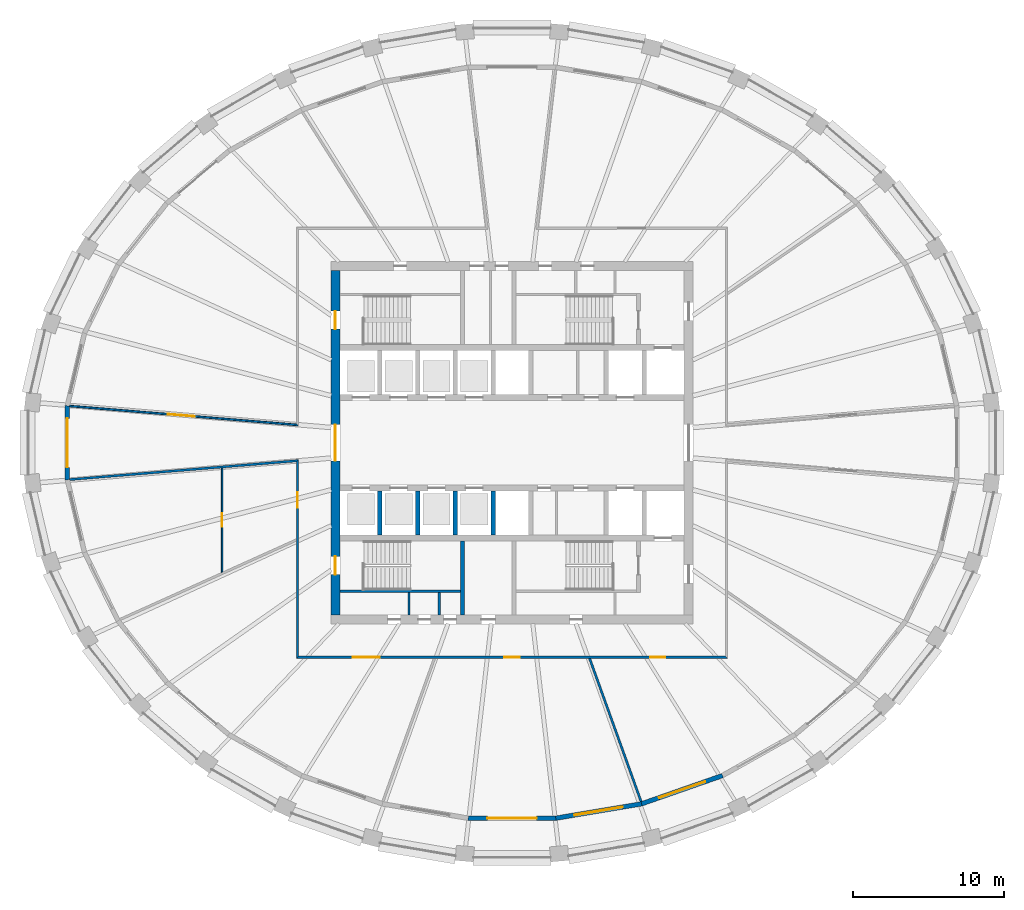
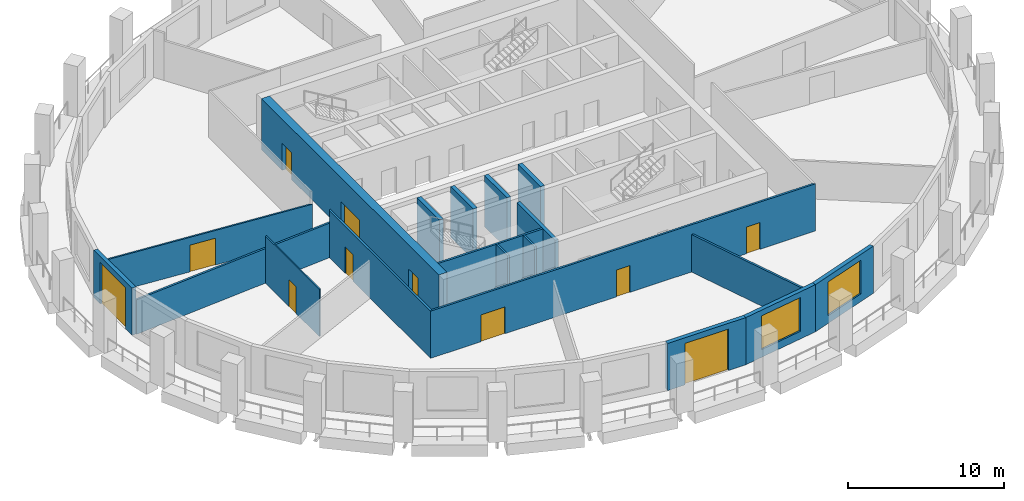
# One storey, part 3 of 10: 19 walls, 11 doors, 2 windows, 13 openings.
"""IFC4 building model written with IfcOpenShell, lengths in metres."""

from ifc_helpers import new_model, si_unit, direction, frame, frame_2d, origin, place, context, subcontext, project, spatial, polyline, rectangle, outline, extrude, material, layer, layer_set, type_object, element, fill, save


model = new_model("IFC4")

# Units and contexts
model_context = context("Model", 3, precision=1e-05, world=origin(), true_north=direction((0.0, 1.0)))
body_context = subcontext(model_context, "Body", "Model", "MODEL_VIEW")
ifc_project = project(units=[si_unit("LENGTHUNIT", "METRE"), si_unit("AREAUNIT", "SQUARE_METRE"), si_unit("VOLUMEUNIT", "CUBIC_METRE"), si_unit("PLANEANGLEUNIT", "RADIAN"), si_unit("MASSUNIT", "GRAM", prefix="KILO")], contexts=[model_context])

# Site, building, storey
site_placement = place(None, origin())
site = spatial("IfcSite", under=ifc_project, at=site_placement, CompositionType="ELEMENT")
building_placement = place(site_placement, origin())
building = spatial("IfcBuilding", under=site, at=building_placement, Name="Halqa Exchange Tower", CompositionType="ELEMENT")
storey_placement = place(building_placement, frame((0.0, 0.0, 210.89990234375)))
storey = spatial("IfcBuildingStorey", under=building, at=storey_placement, Name="L48", CompositionType="ELEMENT", Elevation=210.89990234375)

# Wall
ifc_material_1 = material(Name="Fire-rated gypsum board")
ifc_layer_1 = layer(ifc_material_1, 0.14990234375)
ifc_layer_set_1 = layer_set([ifc_layer_1], Name="Fire-rated gypsum board")
wall_type_1 = type_object("IfcWallType", Name="Fire partition EI 60 150", PredefinedType="PARTITIONING", material=ifc_layer_set_1)
wall_1_placement = place(storey_placement, frame((-29.288330078125, -2.43408203125, 0.0), z_axis=(0.0, 0.0, 1.0), x_axis=(0.9965984313, 0.082410962436, 0.0)))
element("IfcWall", 1, at=wall_1_placement, inside=storey, type_object=wall_type_1, Name="L48-PWL-002", PredefinedType="PARTITIONING", context=body_context, shape_type="SweptSolid", body=[
    extrude(outline(polyline([(0.004638671875, -0.074951171875), (1.886474609375, -0.074951171875), (3.76806640625, -0.074951171875), (5.64990234375, -0.074951171875), (7.531494140625, -0.074951171875), (9.413330078125, -0.074951171875), (11.295166015625, -0.074951171875), (13.1767578125, -0.074951171875), (15.05859375, -0.074951171875), (15.22119140625, 0.07470703125), (15.22119140625, 0.074951171875), (13.318603515625, 0.074951171875), (11.416015625, 0.074951171875), (9.51318359375, 0.074951171875), (7.610595703125, 0.074951171875), (5.7080078125, 0.074951171875), (3.80517578125, 0.074951171875), (1.902587890625, 0.074951171875), (0.0, 0.074951171875), (0.0, -0.044189453125), (0.004638671875, -0.074951171875)])), origin(), (0.0, 0.0, 1.0), 2.710205078125),
])

# Wall, opening, door
wall_2_placement = place(storey_placement, frame((-14.199951171875, -14.27490234375, 0.0), z_axis=(0.0, 0.0, 1.0), x_axis=(0.0, 1.0, 0.0)))
wall_2 = element("IfcWall", 2, at=wall_2_placement, inside=storey, type_object=wall_type_1, Name="L48-PWL-005", PredefinedType="PARTITIONING", context=body_context, shape_type="SweptSolid", body=[
    extrude(outline(polyline([(0.14990234375, -0.074951171875), (2.010009765625, -0.074951171875), (3.869873046875, -0.074951171875), (5.72998046875, -0.074951171875), (7.58984375, -0.074951171875), (9.449951171875, -0.074951171875), (11.309814453125, -0.074951171875), (13.169921875, -0.074951171875), (13.007080078125, 0.074951171875), (11.14892578125, 0.074951171875), (9.290771484375, 0.074951171875), (7.4326171875, 0.074951171875), (5.574462890625, 0.074951171875), (3.71630859375, 0.074951171875), (1.858154296875, 0.074951171875), (0.0, 0.074951171875), (0.14990234375, -0.074951171875)])), origin(), (0.0, 0.0, 1.0), 3.7001953125),
])
opening_1_placement = place(wall_2_placement, frame((9.985107421875, 0.0, 0.0)))
opening_1 = element("IfcOpeningElement", 3, at=opening_1_placement, cuts=wall_2, Name="Opening 14-03", PredefinedType="OPENING", context=body_context, shape_type="SweptSolid", body=[
    extrude(rectangle(XDim=1.0, YDim=2.10009765625, at=frame_2d((0.5, 1.050048828125))), frame((0.0, 0.0869140625, 0.0), z_axis=(0.0, -1.0, 0.0), x_axis=(1.0, 0.0, 0.0)), (0.0, 0.0, 1.0), 0.173828125),
])
ifc_material_2 = material(Name="Steel fire door leaf", Category="steel")
door_type_1 = type_object("IfcDoorType", Name="Fire door FD30S 1000 x 2100", OperationType="SINGLE_SWING_LEFT", PredefinedType="DOOR", material=ifc_material_2)
door_1_placement = place(opening_1_placement, origin())
door_1 = element("IfcDoor", 4, at=door_1_placement, inside=storey, type_object=door_type_1, Name="L48-IDR-003", OperationType="SINGLE_SWING_LEFT", OverallHeight=2.10009765625, OverallWidth=1.0, PredefinedType="DOOR", context=body_context, shape_type="SweptSolid", body=[
    extrude(rectangle(XDim=1.0, YDim=2.10009765625, at=frame_2d((0.5, 1.050048828125))), frame((0.0, 0.02490234375, 0.0), z_axis=(0.0, -1.0, 0.0), x_axis=(1.0, 0.0, 0.0)), (0.0, 0.0, 1.0), 0.050048828125),
])
fill(opening_1, door_1)

# Wall, openings, doors
wall_3_placement = place(storey_placement, frame((-14.27490234375, -14.199951171875, 0.0), z_axis=(0.0, 0.0, 1.0), x_axis=(1.0, 0.0, 0.0)))
wall_3 = element("IfcWall", 5, at=wall_3_placement, inside=storey, type_object=wall_type_1, Name="L48-PWL-006", PredefinedType="PARTITIONING", context=body_context, shape_type="SweptSolid", body=[
    extrude(outline(polyline([(28.5498046875, -0.074951171875), (28.5498046875, -0.074951171875), (28.39990234375, 0.074951171875), (26.5166015625, 0.074951171875), (24.63330078125, 0.074951171875), (22.75, 0.074951171875), (20.866455078125, 0.074951171875), (18.983154296875, 0.074951171875), (17.099853515625, 0.074951171875), (15.216552734375, 0.074951171875), (13.333251953125, 0.074951171875), (11.449951171875, 0.074951171875), (9.566650390625, 0.074951171875), (7.683349609375, 0.074951171875), (5.7998046875, 0.074951171875), (3.91650390625, 0.074951171875), (2.033203125, 0.074951171875), (0.14990234375, 0.074951171875), (0.0, -0.074951171875), (1.9033203125, -0.074951171875), (3.806640625, -0.074951171875), (5.7099609375, -0.074951171875), (7.61328125, -0.074951171875), (9.5166015625, -0.074951171875), (11.419921875, -0.074951171875), (13.3232421875, -0.074951171875), (15.2265625, -0.074951171875), (17.1298828125, -0.074951171875), (19.033203125, -0.074951171875), (20.9365234375, -0.074951171875), (22.83984375, -0.074951171875), (24.7431640625, -0.074951171875), (26.646484375, -0.074951171875), (28.5498046875, -0.074951171875)])), origin(), (0.0, 0.0, 1.0), 3.7001953125),
])
opening_2_placement = place(wall_3_placement, frame((3.719970703125, 0.0, 0.0)))
opening_2 = element("IfcOpeningElement", 6, at=opening_2_placement, cuts=wall_3, Name="Opening 14-04", PredefinedType="OPENING", context=body_context, shape_type="SweptSolid", body=[
    extrude(rectangle(XDim=1.800048828125, YDim=2.10009765625, at=frame_2d((0.89990234375, 1.050048828125))), frame((0.0, 0.0869140625, 0.0), z_axis=(0.0, -1.0, 0.0), x_axis=(1.0, 0.0, 0.0)), (0.0, 0.0, 1.0), 0.173828125),
])
opening_3_placement = place(wall_3_placement, frame((13.77490234375, 0.0, 0.0)))
opening_3 = element("IfcOpeningElement", 7, at=opening_3_placement, cuts=wall_3, Name="Opening 14-05", PredefinedType="OPENING", context=body_context, shape_type="SweptSolid", body=[
    extrude(rectangle(XDim=1.0, YDim=2.10009765625, at=frame_2d((0.5, 1.050048828125))), frame((0.0, 0.0869140625, 0.0), z_axis=(0.0, -1.0, 0.0), x_axis=(1.0, 0.0, 0.0)), (0.0, 0.0, 1.0), 0.173828125),
])
opening_4_placement = place(wall_3_placement, frame((23.429931640625, 0.0, 0.0)))
opening_4 = element("IfcOpeningElement", 8, at=opening_4_placement, cuts=wall_3, Name="Opening 14-06", PredefinedType="OPENING", context=body_context, shape_type="SweptSolid", body=[
    extrude(rectangle(XDim=1.0, YDim=2.10009765625, at=frame_2d((0.5, 1.050048828125))), frame((0.0, 0.0869140625, 0.0), z_axis=(0.0, -1.0, 0.0), x_axis=(1.0, 0.0, 0.0)), (0.0, 0.0, 1.0), 0.173828125),
])
door_2_placement = place(opening_3_placement, frame((1.0, 0.0, 0.0), z_axis=(0.0, 0.0, 1.0), x_axis=(-1.0, 0.0, 0.0)))
door_2 = element("IfcDoor", 9, at=door_2_placement, inside=storey, type_object=door_type_1, Name="L48-IDR-005", OperationType="SINGLE_SWING_LEFT", OverallHeight=2.10009765625, OverallWidth=1.0, PredefinedType="DOOR", context=body_context, shape_type="SweptSolid", body=[
    extrude(rectangle(XDim=1.0, YDim=2.10009765625, at=frame_2d((0.5, 1.050048828125))), frame((0.0, 0.02490234375, 0.0), z_axis=(0.0, -1.0, 0.0), x_axis=(1.0, 0.0, 0.0)), (0.0, 0.0, 1.0), 0.050048828125),
])
fill(opening_3, door_2)
door_3_placement = place(opening_4_placement, frame((1.0, 0.0, 0.0), z_axis=(0.0, 0.0, 1.0), x_axis=(-1.0, 0.0, 0.0)))
door_3 = element("IfcDoor", 10, at=door_3_placement, inside=storey, type_object=door_type_1, Name="L48-IDR-006", OperationType="SINGLE_SWING_LEFT", OverallHeight=2.10009765625, OverallWidth=1.0, PredefinedType="DOOR", context=body_context, shape_type="SweptSolid", body=[
    extrude(rectangle(XDim=1.0, YDim=2.10009765625, at=frame_2d((0.5, 1.050048828125))), frame((0.0, 0.02490234375, 0.0), z_axis=(0.0, -1.0, 0.0), x_axis=(1.0, 0.0, 0.0)), (0.0, 0.0, 1.0), 0.050048828125),
])
fill(opening_4, door_3)
door_type_2 = type_object("IfcDoorType", Name="Fire door FD30S double 1800 x 2100", OperationType="DOUBLE_DOOR_SINGLE_SWING", PredefinedType="DOOR", material=ifc_material_2)
door_4_placement = place(opening_2_placement, frame((1.800048828125, 0.0, 0.0), z_axis=(0.0, 0.0, 1.0), x_axis=(-1.0, 0.0, 0.0)))
door_4 = element("IfcDoor", 11, at=door_4_placement, inside=storey, type_object=door_type_2, Name="L48-IDR-004", OperationType="DOUBLE_DOOR_SINGLE_SWING", OverallHeight=2.10009765625, OverallWidth=1.800048828125, PredefinedType="DOOR", context=body_context, shape_type="SweptSolid", body=[
    extrude(rectangle(XDim=1.800048828125, YDim=2.10009765625, at=frame_2d((0.89990234375, 1.050048828125))), frame((0.0, 0.02490234375, 0.0), z_axis=(0.0, -1.0, 0.0), x_axis=(1.0, 0.0, 0.0)), (0.0, 0.0, 1.0), 0.050048828125),
])
fill(opening_2, door_4)

# Wall
wall_4_placement = place(storey_placement, frame((5.1279296875, -14.25, 0.0), z_axis=(0.0, 0.0, 1.0), x_axis=(0.338529589418, -0.940955746615, 0.0)))
element("IfcWall", 12, at=wall_4_placement, inside=storey, type_object=wall_type_1, Name="L48-PWL-015", PredefinedType="PARTITIONING", context=body_context, shape_type="SweptSolid", body=[
    extrude(outline(polyline([(0.0, -0.074951171875), (1.682373046875, -0.074951171875), (3.364990234375, -0.074951171875), (5.04736328125, -0.074951171875), (6.729736328125, -0.074951171875), (8.412353515625, -0.074951171875), (10.0947265625, -0.074951171875), (10.107421875, -0.0048828125), (10.108154296875, 0.07177734375), (10.108154296875, 0.074951171875), (8.432373046875, 0.074951171875), (6.756591796875, 0.074951171875), (5.080810546875, 0.074951171875), (3.405029296875, 0.074951171875), (1.729248046875, 0.074951171875), (0.053466796875, 0.074951171875), (0.0, -0.07373046875), (0.0, -0.074951171875)])), origin(), (0.0, 0.0, 1.0), 2.947021484375),
])

# Wall, opening, door
ifc_material_3 = material(Name="Fire-rated glazing", Category="glass")
ifc_layer_2 = layer(ifc_material_3, 0.1201171875)
ifc_layer_set_2 = layer_set([ifc_layer_2], Name="Fire-rated glazing")
wall_type_2 = type_object("IfcWallType", Name="Glazed fire partition EI 60 120", PredefinedType="PARTITIONING", material=ifc_layer_set_2)
wall_5_placement = place(storey_placement, frame((-29.289794921875, 2.43408203125, 0.0), z_axis=(0.0, 0.0, 1.0), x_axis=(0.996564113419, -0.082824922852, 0.0)))
wall_5 = element("IfcWall", 13, at=wall_5_placement, inside=storey, type_object=wall_type_2, Name="L48-PWL-001", PredefinedType="PARTITIONING", context=body_context, shape_type="SweptSolid", body=[
    extrude(outline(polyline([(15.20703125, -0.06005859375), (15.20703125, -0.06005859375), (15.20703125, -0.06005859375), (15.20703125, -0.06005859375), (15.141845703125, 0.0), (15.07666015625, 0.06005859375), (13.1923828125, 0.06005859375), (11.308349609375, 0.06005859375), (9.42431640625, 0.06005859375), (7.540283203125, 0.06005859375), (5.656005859375, 0.06005859375), (3.77197265625, 0.06005859375), (1.887939453125, 0.06005859375), (0.00390625, 0.06005859375), (0.0, 0.03466796875), (0.0, -0.06005859375), (1.90087890625, -0.06005859375), (3.8017578125, -0.06005859375), (5.70263671875, -0.06005859375), (7.603515625, -0.06005859375), (9.50439453125, -0.06005859375), (11.4052734375, -0.06005859375), (13.30615234375, -0.06005859375), (15.20703125, -0.06005859375)])), origin(), (0.0, 0.0, 1.0), 2.710205078125),
])
opening_5_placement = place(wall_5_placement, frame((6.515380859375, 0.0, 0.0)))
opening_5 = element("IfcOpeningElement", 14, at=opening_5_placement, cuts=wall_5, Name="Opening 14-02", PredefinedType="OPENING", context=body_context, shape_type="SweptSolid", body=[
    extrude(rectangle(XDim=1.800048828125, YDim=2.10009765625, at=frame_2d((0.89990234375, 1.050048828125))), frame((0.0, 0.072021484375, 0.0), z_axis=(0.0, -1.0, 0.0), x_axis=(1.0, 0.0, 0.0)), (0.0, 0.0, 1.0), 0.14404296875),
])
door_5_placement = place(opening_5_placement, origin())
door_5 = element("IfcDoor", 15, at=door_5_placement, inside=storey, type_object=door_type_2, Name="L48-IDR-002", OperationType="DOUBLE_DOOR_SINGLE_SWING", OverallHeight=2.10009765625, OverallWidth=1.800048828125, PredefinedType="DOOR", context=body_context, shape_type="SweptSolid", body=[
    extrude(rectangle(XDim=1.800048828125, YDim=2.10009765625, at=frame_2d((0.89990234375, 1.050048828125))), frame((0.0, 0.02490234375, 0.0), z_axis=(0.0, -1.0, 0.0), x_axis=(1.0, 0.0, 0.0)), (0.0, 0.0, 1.0), 0.050048828125),
])
fill(opening_5, door_5)

ifc_material_4 = material(Name="Gypsum board")
ifc_layer_3 = layer(ifc_material_4, 0.10009765625)
ifc_layer_set_3 = layer_set([ifc_layer_3], Name="Gypsum board")
wall_type_3 = type_object("IfcWallType", Name="Partition 100 gypsum", PredefinedType="PARTITIONING", material=ifc_layer_set_3)
wall_6_placement = place(storey_placement, frame((-19.199951171875, -8.594970703125, 0.0), z_axis=(0.0, 0.0, 1.0), x_axis=(0.0, 1.0, 0.0)))
wall_6 = element("IfcWall", 16, at=wall_6_placement, inside=storey, type_object=wall_type_3, Name="L48-PWL-004", PredefinedType="PARTITIONING", context=body_context, shape_type="SweptSolid", body=[
    extrude(outline(polyline([(6.923583984375, -0.050048828125), (6.923583984375, -0.046630859375), (6.91552734375, 0.050048828125), (5.186767578125, 0.050048828125), (3.457763671875, 0.050048828125), (1.72900390625, 0.050048828125), (0.0, 0.050048828125), (0.0, 0.049560546875), (0.044921875, -0.050048828125), (1.7646484375, -0.050048828125), (3.484375, -0.050048828125), (5.203857421875, -0.050048828125), (6.923583984375, -0.050048828125)])), origin(), (0.0, 0.0, 1.0), 3.7001953125),
])
opening_6_placement = place(wall_6_placement, frame((3.02001953125, 0.0, 0.0)))
opening_6 = element("IfcOpeningElement", 17, at=opening_6_placement, cuts=wall_6, Name="Opening 14-10", PredefinedType="OPENING", context=body_context, shape_type="SweptSolid", body=[
    extrude(rectangle(XDim=0.89990234375, YDim=2.10009765625, at=frame_2d((0.449951171875, 1.050048828125))), frame((0.0, 0.06201171875, 0.0), z_axis=(0.0, -1.0, 0.0), x_axis=(1.0, 0.0, 0.0)), (0.0, 0.0, 1.0), 0.1240234375),
])
ifc_material_5 = material(Name="Timber door leaf", Category="wood")
door_type_3 = type_object("IfcDoorType", Name="Door 900 x 2100", OperationType="SINGLE_SWING_LEFT", PredefinedType="DOOR", material=ifc_material_5)
door_6_placement = place(opening_6_placement, frame((0.89990234375, 0.0, 0.0), z_axis=(0.0, 0.0, 1.0), x_axis=(-1.0, 0.0, 0.0)))
door_6 = element("IfcDoor", 18, at=door_6_placement, inside=storey, type_object=door_type_3, Name="L48-IDR-010", OperationType="SINGLE_SWING_LEFT", OverallHeight=2.10009765625, OverallWidth=0.89990234375, PredefinedType="DOOR", context=body_context, shape_type="SweptSolid", body=[
    extrude(rectangle(XDim=0.89990234375, YDim=2.10009765625, at=frame_2d((0.449951171875, 1.050048828125))), frame((0.0, 0.02490234375, 0.0), z_axis=(0.0, -1.0, 0.0), x_axis=(1.0, 0.0, 0.0)), (0.0, 0.0, 1.0), 0.050048828125),
])
fill(opening_6, door_6)

# Walls
ifc_layer_4 = layer(ifc_material_4, 0.14990234375)
ifc_layer_set_4 = layer_set([ifc_layer_4], Name="Gypsum board")
wall_type_4 = type_object("IfcWallType", Name="Penthouse riser wall 150 gypsum", PredefinedType="PARTITIONING", material=ifc_layer_set_4)
for number, where, z_axis, x_axis, name in (
    (19, (-6.824951171875, -11.39990234375, 0.0), (0.0, 0.0, 1.0), (0.0, 1.0, 0.0), "Partition W6.825 S"),
    (20, (-4.824951171875, -11.39990234375, 0.0), (0.0, 0.0, 1.0), (0.0, 1.0, 0.0), "Partition W4.825 S"),
):
    element("IfcWall", number, at=place(storey_placement, frame(where, z_axis=z_axis, x_axis=x_axis)), inside=storey, type_object=wall_type_4, Name=name, PredefinedType="PARTITIONING", context=body_context, shape_type="SweptSolid", body=[
        extrude(rectangle(XDim=1.5, YDim=0.14990234375, at=frame_2d((0.75, 0.0))), origin(), (0.0, 0.0, 1.0), 3.7001953125),
    ])
ifc_material_6 = material(Name="Concrete C60/75", Category="concrete")
ifc_layer_5 = layer(ifc_material_6, 0.300048828125)
ifc_layer_set_5 = layer_set([ifc_layer_5], Name="Concrete C60/75")
wall_type_5 = type_object("IfcWallType", Name="RC core wall 300", PredefinedType="SHEAR", material=ifc_layer_set_5)
for number, where, z_axis, x_axis, name in (
    (21, (-8.75, -6.10009765625, 0.0), (0.0, 0.0, 1.0), (0.0, 1.0, 0.0), "Shaft divider S1"),
    (22, (-6.25, -6.10009765625, 0.0), (0.0, 0.0, 1.0), (0.0, 1.0, 0.0), "Shaft divider S2"),
    (23, (-3.75, -6.10009765625, 0.0), (0.0, 0.0, 1.0), (0.0, 1.0, 0.0), "Shaft divider S3"),
    (24, (-1.25, -6.10009765625, 0.0), (0.0, 0.0, 1.0), (0.0, 1.0, 0.0), "Shaft divider S4"),
):
    element("IfcWall", number, at=place(storey_placement, frame(where, z_axis=z_axis, x_axis=x_axis)), inside=storey, type_object=wall_type_5, Name=name, PredefinedType="SHEAR", context=body_context, shape_type="SweptSolid", body=[
        extrude(rectangle(XDim=2.900146484375, YDim=0.300048828125, at=frame_2d((1.4501953125, 0.0))), origin(), (0.0, 0.0, 1.0), 4.0),
    ])

# Wall, openings, doors
ifc_material_7 = material(Name="Concrete C70/85", Category="concrete")
ifc_layer_6 = layer(ifc_material_7, 0.60009765625)
ifc_layer_set_6 = layer_set([ifc_layer_6], Name="Concrete C70/85")
wall_type_6 = type_object("IfcWallType", Name="RC core wall 600 C70/85", PredefinedType="SHEAR", material=ifc_layer_set_6)
wall_7_placement = place(storey_placement, frame((-11.699951171875, -11.39990234375, 0.0), z_axis=(0.0, 0.0, 1.0), x_axis=(0.0, 1.0, 0.0)))
wall_7 = element("IfcWall", 25, at=wall_7_placement, inside=storey, type_object=wall_type_6, Name="Core wall west", PredefinedType="SHEAR", context=body_context, shape_type="SweptSolid", body=[
    extrude(rectangle(XDim=22.7998046875, YDim=0.60009765625, at=frame_2d((11.39990234375, 0.0))), origin(), (0.0, 0.0, 1.0), 4.0),
])
opening_7_placement = place(wall_7_placement, frame((10.199951171875, 0.0, 0.0)))
opening_7 = element("IfcOpeningElement", 26, at=opening_7_placement, cuts=wall_7, Name="Opening T14-C13", PredefinedType="OPENING", context=body_context, shape_type="SweptSolid", body=[
    extrude(rectangle(XDim=2.39990234375, YDim=2.10009765625, at=frame_2d((1.199951171875, 1.050048828125))), frame((0.0, 0.31201171875, 0.0), z_axis=(0.0, -1.0, 0.0), x_axis=(1.0, 0.0, 0.0)), (0.0, 0.0, 1.0), 0.6240234375),
])
opening_8_placement = place(wall_7_placement, frame((18.925048828125, 0.0, 0.0)))
opening_8 = element("IfcOpeningElement", 27, at=opening_8_placement, cuts=wall_7, Name="Opening T14-C15", PredefinedType="OPENING", context=body_context, shape_type="SweptSolid", body=[
    extrude(rectangle(XDim=1.199951171875, YDim=2.10009765625, at=frame_2d((0.60009765625, 1.050048828125))), frame((0.0, 0.31201171875, 0.0), z_axis=(0.0, -1.0, 0.0), x_axis=(1.0, 0.0, 0.0)), (0.0, 0.0, 1.0), 0.6240234375),
])
opening_9_placement = place(wall_7_placement, frame((2.675048828125, 0.0, 0.0)))
opening_9 = element("IfcOpeningElement", 28, at=opening_9_placement, cuts=wall_7, Name="Opening T14-C17", PredefinedType="OPENING", context=body_context, shape_type="SweptSolid", body=[
    extrude(rectangle(XDim=1.199951171875, YDim=2.10009765625, at=frame_2d((0.60009765625, 1.050048828125))), frame((0.0, 0.31201171875, 0.0), z_axis=(0.0, -1.0, 0.0), x_axis=(1.0, 0.0, 0.0)), (0.0, 0.0, 1.0), 0.6240234375),
])
door_type_4 = type_object("IfcDoorType", Name="Lobby double door FD60 2400 x 2100", OperationType="DOUBLE_DOOR_SINGLE_SWING", PredefinedType="DOOR", material=ifc_material_2)
door_7_placement = place(opening_7_placement, frame((2.39990234375, 0.0, 0.0), z_axis=(0.0, 0.0, 1.0), x_axis=(-1.0, 0.0, 0.0)))
door_7 = element("IfcDoor", 29, at=door_7_placement, inside=storey, type_object=door_type_4, Name="Lift lobby double door", OperationType="DOUBLE_DOOR_SINGLE_SWING", OverallHeight=2.10009765625, OverallWidth=2.39990234375, PredefinedType="DOOR", context=body_context, shape_type="SweptSolid", body=[
    extrude(rectangle(XDim=2.39990234375, YDim=2.10009765625, at=frame_2d((1.199951171875, 1.050048828125))), frame((0.0, 0.02490234375, 0.0), z_axis=(0.0, -1.0, 0.0), x_axis=(1.0, 0.0, 0.0)), (0.0, 0.0, 1.0), 0.050048828125),
])
fill(opening_7, door_7)
door_type_5 = type_object("IfcDoorType", Name="Stair door FD90 1200 x 2100", OperationType="SINGLE_SWING_LEFT", PredefinedType="DOOR", material=ifc_material_2)
door_8_placement = place(opening_8_placement, frame((1.199951171875, 0.0, 0.0), z_axis=(0.0, 0.0, 1.0), x_axis=(-1.0, 0.0, 0.0)))
door_8 = element("IfcDoor", 30, at=door_8_placement, inside=storey, type_object=door_type_5, Name="Stair door ST1", OperationType="SINGLE_SWING_RIGHT", OverallHeight=2.10009765625, OverallWidth=1.199951171875, PredefinedType="DOOR", context=body_context, shape_type="SweptSolid", body=[
    extrude(rectangle(XDim=1.199951171875, YDim=2.10009765625, at=frame_2d((0.60009765625, 1.050048828125))), frame((0.0, 0.02490234375, 0.0), z_axis=(0.0, -1.0, 0.0), x_axis=(1.0, 0.0, 0.0)), (0.0, 0.0, 1.0), 0.050048828125),
])
fill(opening_8, door_8)
door_9_placement = place(opening_9_placement, frame((1.199951171875, 0.0, 0.0), z_axis=(0.0, 0.0, 1.0), x_axis=(-1.0, 0.0, 0.0)))
door_9 = element("IfcDoor", 31, at=door_9_placement, inside=storey, type_object=door_type_5, Name="Stair door ST3", OperationType="SINGLE_SWING_RIGHT", OverallHeight=2.10009765625, OverallWidth=1.199951171875, PredefinedType="DOOR", context=body_context, shape_type="SweptSolid", body=[
    extrude(rectangle(XDim=1.199951171875, YDim=2.10009765625, at=frame_2d((0.60009765625, 1.050048828125))), frame((0.0, 0.02490234375, 0.0), z_axis=(0.0, -1.0, 0.0), x_axis=(1.0, 0.0, 0.0)), (0.0, 0.0, 1.0), 0.050048828125),
])
fill(opening_9, door_9)

# Walls
ifc_material_8 = material(Name="Concrete C30/37", Category="concrete")
ifc_layer_7 = layer(ifc_material_8, 0.14990234375)
ifc_layer_set_7 = layer_set([ifc_layer_7], Name="Concrete C30/37")
wall_type_7 = type_object("IfcWallType", Name="RC stair wall 150 C30/37", PredefinedType="SHEAR", material=ifc_layer_set_7)
wall_8_placement = place(storey_placement, frame((-11.39990234375, -9.824951171875, 0.0), z_axis=(0.0, 0.0, 1.0), x_axis=(1.0, 0.0, 0.0)))
element("IfcWall", 32, at=wall_8_placement, inside=storey, type_object=wall_type_7, Name="Stair ST1 north wall S", PredefinedType="SHEAR", context=body_context, shape_type="SweptSolid", body=[
    extrude(rectangle(XDim=8.0, YDim=0.14990234375, at=frame_2d((4.0, 0.0))), origin(), (0.0, 0.0, 1.0), 3.7001953125),
])
ifc_layer_8 = layer(ifc_material_8, 0.25)
ifc_layer_set_8 = layer_set([ifc_layer_8], Name="Concrete C30/37")
wall_type_8 = type_object("IfcWallType", Name="RC stair wall 250 C30/37", PredefinedType="SHEAR", material=ifc_layer_set_8)
wall_9_placement = place(storey_placement, frame((-3.27490234375, -11.39990234375, 0.0), z_axis=(0.0, 0.0, 1.0), x_axis=(0.0, 1.0, 0.0)))
element("IfcWall", 33, at=wall_9_placement, inside=storey, type_object=wall_type_8, Name="Stair ST1 east wall S", PredefinedType="SHEAR", context=body_context, shape_type="SweptSolid", body=[
    extrude(rectangle(XDim=4.89990234375, YDim=0.25, at=frame_2d((2.449951171875, 0.0))), origin(), (0.0, 0.0, 1.0), 3.7001953125),
])

# Wall, opening, door
ifc_material_9 = material(Name="Limestone cladding", Category="masonry")
ifc_layer_9 = layer(ifc_material_9, 0.0400390625)
ifc_material_10 = material(Name="Ventilated cavity")
ifc_layer_10 = layer(ifc_material_10, 0.030029296875, ventilated=True)
ifc_material_11 = material(Name="Mineral wool insulation")
ifc_layer_11 = layer(ifc_material_11, 0.10009765625)
ifc_layer_12 = layer(ifc_material_8, 0.10009765625)
ifc_material_12 = material(Name="Internal plaster")
ifc_layer_13 = layer(ifc_material_12, 0.030029296875)
ifc_layer_set_9 = layer_set([ifc_layer_9, ifc_layer_10, ifc_layer_11, ifc_layer_12, ifc_layer_13], Name="Stone-faced insulated wall 300")
wall_type_9 = type_object("IfcWallType", Name="Stone-faced insulated wall 300", PredefinedType="STANDARD", material=ifc_layer_set_9)
wall_10_placement = place(storey_placement, frame((-29.445068359375, 2.451416015625, 0.0), z_axis=(0.0, 0.0, 1.0), x_axis=(0.0, -1.0, 0.0)))
wall_10 = element("IfcWall", 34, at=wall_10_placement, inside=storey, type_object=wall_type_9, Name="Glass-line wall 16", PredefinedType="STANDARD", context=body_context, shape_type="SweptSolid", body=[
    extrude(outline(polyline([(-0.017333984375, -0.14990234375), (4.920166015625, -0.14990234375), (4.885498046875, 0.14990234375), (0.017333984375, 0.14990234375), (-0.017333984375, -0.14990234375)])), origin(), (0.0, 0.0, 1.0), 3.7001953125),
])
opening_10_placement = place(wall_10_placement, frame((0.826416015625, 0.0, 0.0)))
opening_10 = element("IfcOpeningElement", 35, at=opening_10_placement, cuts=wall_10, Name="Opening LG-F3-04", PredefinedType="OPENING", context=body_context, shape_type="SweptSolid", body=[
    extrude(rectangle(XDim=3.25, YDim=3.25, at=frame_2d((1.625, 1.625))), frame((0.0, 0.162109375, 0.0), z_axis=(0.0, -1.0, 0.0), x_axis=(1.0, 0.0, 0.0)), (0.0, 0.0, 1.0), 0.323974609375),
])
ifc_material_13 = material(Name="Clear low-emissivity glass in aluminium frame", Category="aluminium")
door_type_6 = type_object("IfcDoorType", Name="Glazed sliding loggia door 3250 x 3250", OperationType="DOUBLE_DOOR_SLIDING", PredefinedType="DOOR", material=ifc_material_13)
door_10_placement = place(opening_10_placement, origin())
door_10 = element("IfcDoor", 36, at=door_10_placement, inside=storey, type_object=door_type_6, Name="Loggia door 4", OperationType="DOUBLE_DOOR_SLIDING", OverallHeight=3.25, OverallWidth=3.25, PredefinedType="DOOR", context=body_context, shape_type="SweptSolid", body=[
    extrude(rectangle(XDim=3.25, YDim=3.25, at=frame_2d((1.625, 1.625))), frame((0.0, 0.02490234375, 0.0), z_axis=(0.0, -1.0, 0.0), x_axis=(1.0, 0.0, 0.0)), (0.0, 0.0, 1.0), 0.050048828125),
])
fill(opening_10, door_10)

wall_11_placement = place(storey_placement, frame((-2.897705078125, -24.86181640625, 0.0), z_axis=(0.0, 0.0, 1.0), x_axis=(1.0, 0.0, 0.0)))
wall_11 = element("IfcWall", 37, at=wall_11_placement, inside=storey, type_object=wall_type_9, Name="Glass-line wall 24", PredefinedType="STANDARD", context=body_context, shape_type="SweptSolid", body=[
    extrude(outline(polyline([(-0.012451171875, -0.14990234375), (5.807861328125, -0.14990234375), (5.782958984375, 0.14990234375), (0.012451171875, 0.14990234375), (-0.012451171875, -0.14990234375)])), origin(), (0.0, 0.0, 1.0), 3.7001953125),
])
opening_11_placement = place(wall_11_placement, frame((1.272705078125, 0.0, 0.0)))
opening_11 = element("IfcOpeningElement", 38, at=opening_11_placement, cuts=wall_11, Name="Opening LG-F3-06", PredefinedType="OPENING", context=body_context, shape_type="SweptSolid", body=[
    extrude(rectangle(XDim=3.25, YDim=3.25, at=frame_2d((1.625, 1.625))), frame((0.0, 0.162109375, 0.0), z_axis=(0.0, -1.0, 0.0), x_axis=(1.0, 0.0, 0.0)), (0.0, 0.0, 1.0), 0.323974609375),
])
door_11_placement = place(opening_11_placement, origin())
door_11 = element("IfcDoor", 39, at=door_11_placement, inside=storey, type_object=door_type_6, Name="Loggia door 6", OperationType="DOUBLE_DOOR_SLIDING", OverallHeight=3.25, OverallWidth=3.25, PredefinedType="DOOR", context=body_context, shape_type="SweptSolid", body=[
    extrude(rectangle(XDim=3.25, YDim=3.25, at=frame_2d((1.625, 1.625))), frame((0.0, 0.02490234375, 0.0), z_axis=(0.0, -1.0, 0.0), x_axis=(1.0, 0.0, 0.0)), (0.0, 0.0, 1.0), 0.050048828125),
])
fill(opening_11, door_11)

# Wall, opening, window
wall_12_placement = place(storey_placement, frame((2.897705078125, -24.86181640625, 0.0), z_axis=(0.0, 0.0, 1.0), x_axis=(0.98622052717, 0.165436005116, 0.0)))
wall_12 = element("IfcWall", 40, at=wall_12_placement, inside=storey, type_object=wall_type_9, Name="Glass-line wall 25", PredefinedType="STANDARD", context=body_context, shape_type="SweptSolid", body=[
    extrude(outline(polyline([(-0.012451171875, -0.14990234375), (5.77685546875, -0.14990234375), (5.75146484375, 0.14990234375), (0.012451171875, 0.14990234375), (-0.012451171875, -0.14990234375)])), origin(), (0.0, 0.0, 1.0), 3.7001953125),
])
opening_12_placement = place(wall_12_placement, frame((1.257080078125, 0.0, 0.60009765625)))
opening_12 = element("IfcOpeningElement", 41, at=opening_12_placement, cuts=wall_12, Name="Opening W-F3-25", PredefinedType="OPENING", context=body_context, shape_type="SweptSolid", body=[
    extrude(rectangle(XDim=3.25, YDim=2.64990234375, at=frame_2d((1.625, 1.324951171875))), frame((0.0, 0.162109375, 0.0), z_axis=(0.0, -1.0, 0.0), x_axis=(1.0, 0.0, 0.0)), (0.0, 0.0, 1.0), 0.323974609375),
])
window_type = type_object("IfcWindowType", Name="Fixed clear glazed window 3250 x 2650", PartitioningType="TRIPLE_PANEL_VERTICAL", PredefinedType="WINDOW", material=ifc_material_13)
window_1_placement = place(opening_12_placement, origin())
window_1 = element("IfcWindow", 42, at=window_1_placement, inside=storey, type_object=window_type, Name="Window 3", OverallHeight=2.64990234375, OverallWidth=3.25, PartitioningType="TRIPLE_PANEL_VERTICAL", PredefinedType="WINDOW", context=body_context, shape_type="SweptSolid", body=[
    extrude(rectangle(XDim=3.25, YDim=2.64990234375, at=frame_2d((1.625, 1.324951171875))), frame((0.0, 0.030029296875, 0.0), z_axis=(0.0, -1.0, 0.0), x_axis=(1.0, 0.0, 0.0)), (0.0, 0.0, 1.0), 0.06005859375),
])
fill(opening_12, window_1)

wall_13_placement = place(storey_placement, frame((8.58251953125, -23.908203125, 0.0), z_axis=(0.0, 0.0, 1.0), x_axis=(0.944023272224, 0.329878858824, 0.0)))
wall_13 = element("IfcWall", 43, at=wall_13_placement, inside=storey, type_object=wall_type_9, Name="Glass-line wall 26", PredefinedType="STANDARD", context=body_context, shape_type="SweptSolid", body=[
    extrude(outline(polyline([(-0.0126953125, -0.14990234375), (5.68701171875, -0.14990234375), (5.66015625, 0.14990234375), (0.0126953125, 0.14990234375), (-0.0126953125, -0.14990234375)])), origin(), (0.0, 0.0, 1.0), 3.7001953125),
])
opening_13_placement = place(wall_13_placement, frame((1.2119140625, 0.0, 0.60009765625)))
opening_13 = element("IfcOpeningElement", 44, at=opening_13_placement, cuts=wall_13, Name="Opening W-F3-26", PredefinedType="OPENING", context=body_context, shape_type="SweptSolid", body=[
    extrude(rectangle(XDim=3.25, YDim=2.64990234375, at=frame_2d((1.625, 1.324951171875))), frame((0.0, 0.162109375, 0.0), z_axis=(0.0, -1.0, 0.0), x_axis=(1.0, 0.0, 0.0)), (0.0, 0.0, 1.0), 0.323974609375),
])
window_2_placement = place(opening_13_placement, origin())
window_2 = element("IfcWindow", 45, at=window_2_placement, inside=storey, type_object=window_type, Name="Window 3", OverallHeight=2.64990234375, OverallWidth=3.25, PartitioningType="TRIPLE_PANEL_VERTICAL", PredefinedType="WINDOW", context=body_context, shape_type="SweptSolid", body=[
    extrude(rectangle(XDim=3.25, YDim=2.64990234375, at=frame_2d((1.625, 1.324951171875))), frame((0.0, 0.030029296875, 0.0), z_axis=(0.0, -1.0, 0.0), x_axis=(1.0, 0.0, 0.0)), (0.0, 0.0, 1.0), 0.06005859375),
])
fill(opening_13, window_2)

save(model, "model.ifc")
